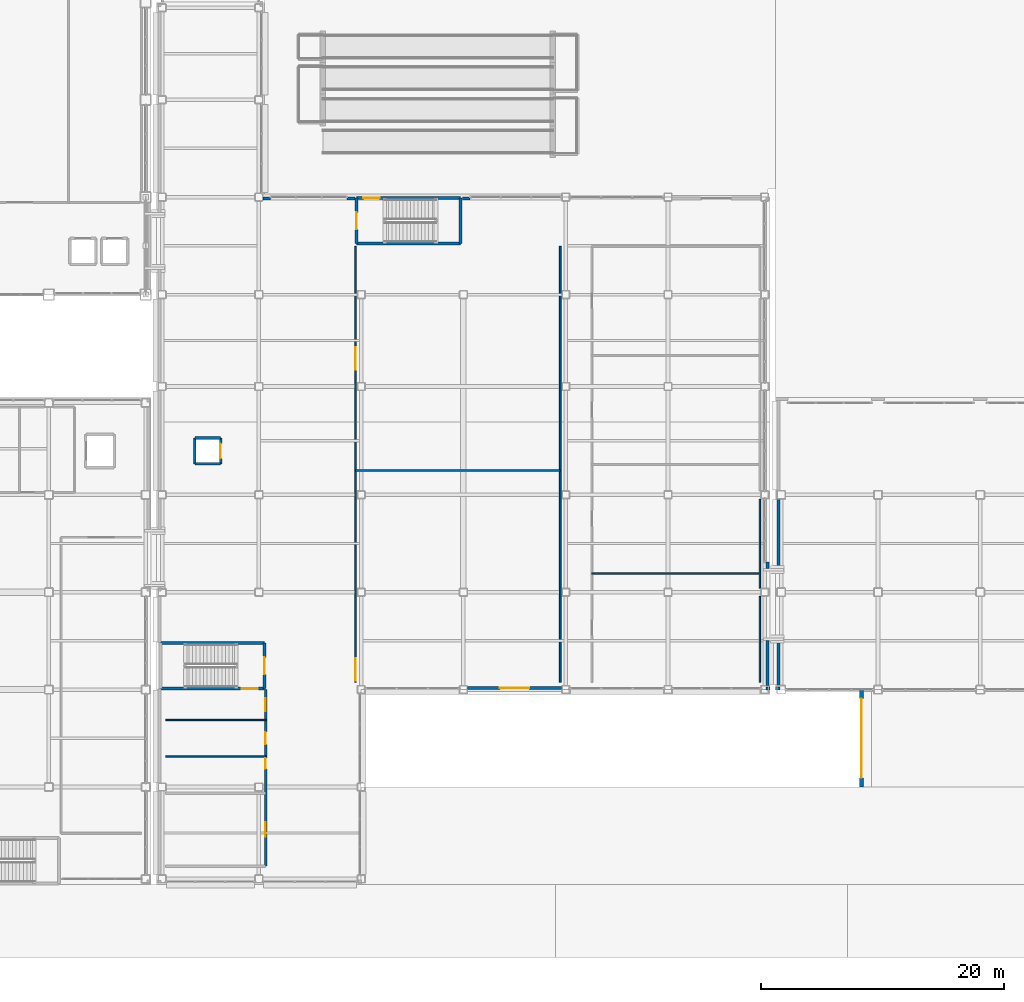
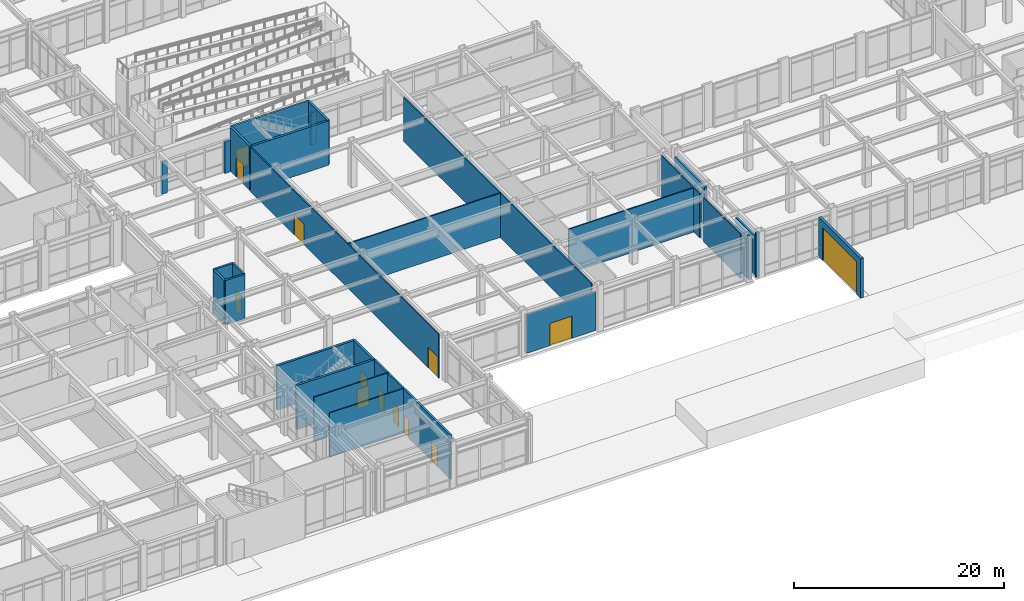
# One storey, part 128 of 165: 31 walls, 13 doors, 13 openings.
"""IFC4 building model written with IfcOpenShell, lengths in metres."""

from ifc_helpers import new_model, si_unit, direction, frame, frame_2d, origin, place, context, subcontext, project, spatial, rectangle, extrude, material, layer, layer_set, type_object, element, fill, save


model = new_model("IFC4")

# Units and contexts
model_context = context("Model", 3, precision=1e-05, world=origin(), true_north=direction((0.0, 1.0)))
body_context = subcontext(model_context, "Body", "Model", "MODEL_VIEW")
ifc_project = project(units=[si_unit("LENGTHUNIT", "METRE"), si_unit("AREAUNIT", "SQUARE_METRE"), si_unit("VOLUMEUNIT", "CUBIC_METRE"), si_unit("PLANEANGLEUNIT", "RADIAN"), si_unit("MASSUNIT", "GRAM", prefix="KILO")], contexts=[model_context])

# Site, building, storey
site_placement = place(None, origin())
site = spatial("IfcSite", under=ifc_project, at=site_placement, CompositionType="ELEMENT")
building_placement = place(site_placement, origin())
building = spatial("IfcBuilding", under=site, at=building_placement, Name="Kazehara Bluff Congress Hotel", CompositionType="ELEMENT")
storey_placement = place(building_placement, origin())
storey = spatial("IfcBuildingStorey", under=building, at=storey_placement, Name="L00", CompositionType="ELEMENT", Elevation=0.0)

# Wall, opening, door
ifc_material_1 = material(Name="Concrete C40/50", Category="concrete")
ifc_layer_1 = layer(ifc_material_1, 0.25)
ifc_layer_set_1 = layer_set([ifc_layer_1], Name="Concrete C40/50")
wall_type_1 = type_object("IfcWallType", Name="TP-CW-RC", PredefinedType="SHEAR", material=ifc_layer_set_1)
wall_1_placement = place(storey_placement, frame((68.125, 19.824951171875, 0.0), z_axis=(0.0, 0.0, 1.0), x_axis=(0.0, -1.0, 0.0)))
wall_1 = element("IfcWall", 1, at=wall_1_placement, inside=storey, type_object=wall_type_1, Name="L00 ST-08 core wall near", PredefinedType="SHEAR", context=body_context, shape_type="SweptSolid", body=[
    extrude(rectangle(XDim=3.75, YDim=0.25, at=frame_2d((1.875, 0.0))), origin(), (0.0, 0.0, 1.0), 5.14990234375),
])
opening_1_placement = place(wall_1_placement, frame((1.175048828125, 0.0, 0.0)))
opening_1 = element("IfcOpeningElement", 2, at=opening_1_placement, cuts=wall_1, Name="Opening FD-03", PredefinedType="OPENING", context=body_context, shape_type="SweptSolid", body=[
    extrude(rectangle(XDim=1.39990234375, YDim=2.25, at=frame_2d((0.699951171875, 1.125))), frame((0.0, 0.135009765625, 0.0), z_axis=(0.0, -1.0, 0.0), x_axis=(1.0, 0.0, 0.0)), (0.0, 0.0, 1.0), 0.27001953125),
])
ifc_material_2 = material(Name="Fire-rated painted steel leaf", Category="steel")
door_type_1 = type_object("IfcDoorType", Name="TP-FD-03", OperationType="NOTDEFINED", PredefinedType="DOOR", material=ifc_material_2)
door_1_placement = place(opening_1_placement, origin())
door_1 = element("IfcDoor", 3, at=door_1_placement, inside=storey, type_object=door_type_1, Name="L00 ST-08 fire stair door", OperationType="SINGLE_SWING_RIGHT", OverallHeight=2.25, OverallWidth=1.39990234375, PredefinedType="DOOR", context=body_context, shape_type="SweptSolid", body=[
    extrude(rectangle(XDim=1.39990234375, YDim=2.25, at=frame_2d((0.699951171875, 1.125))), frame((0.0, 0.02490234375, 0.0), z_axis=(0.0, -1.0, 0.0), x_axis=(1.0, 0.0, 0.0)), (0.0, 0.0, 1.0), 0.050048828125),
])
fill(opening_1, door_1)

# Wall
wall_2_placement = place(storey_placement, frame((59.574951171875, 19.824951171875, 0.0), z_axis=(0.0, 0.0, 1.0), x_axis=(1.0, 0.0, 0.0)))
element("IfcWall", 4, at=wall_2_placement, inside=storey, type_object=wall_type_1, Name="L00 ST-08 core wall left", PredefinedType="SHEAR", context=body_context, shape_type="SweptSolid", body=[
    extrude(rectangle(XDim=8.550048828125, YDim=0.25, at=frame_2d((4.27490234375, 0.0))), origin(), (0.0, 0.0, 1.0), 5.14990234375),
])

# Wall, opening, door
wall_3_placement = place(storey_placement, frame((68.125, 16.074951171875, 0.0), z_axis=(0.0, 0.0, 1.0), x_axis=(-1.0, 0.0, 0.0)))
wall_3 = element("IfcWall", 5, at=wall_3_placement, inside=storey, type_object=wall_type_1, Name="L00 ST-08 core wall right", PredefinedType="SHEAR", context=body_context, shape_type="SweptSolid", body=[
    extrude(rectangle(XDim=8.550048828125, YDim=0.25, at=frame_2d((4.27490234375, 0.0))), origin(), (0.0, 0.0, 1.0), 5.14990234375),
])
opening_2_placement = place(wall_3_placement, frame((0.550048828125, 0.0, 0.0)))
opening_2 = element("IfcOpeningElement", 6, at=opening_2_placement, cuts=wall_3, Name="Opening ED-09", PredefinedType="OPENING", context=body_context, shape_type="SweptSolid", body=[
    extrude(rectangle(XDim=1.35009765625, YDim=2.300048828125, at=frame_2d((0.675048828125, 1.14990234375))), frame((0.0, 0.135009765625, 0.0), z_axis=(0.0, -1.0, 0.0), x_axis=(1.0, 0.0, 0.0)), (0.0, 0.0, 1.0), 0.27001953125),
])
ifc_material_3 = material(Name="Anodised aluminium", Category="aluminium")
door_type_2 = type_object("IfcDoorType", Name="TP-ED-09", OperationType="NOTDEFINED", PredefinedType="DOOR", material=ifc_material_3)
door_2_placement = place(opening_2_placement, origin())
door_2 = element("IfcDoor", 7, at=door_2_placement, inside=storey, type_object=door_type_2, Name="Escape Stair ST-08 final exit discharge door", OperationType="SINGLE_SWING_RIGHT", OverallHeight=2.300048828125, OverallWidth=1.35009765625, PredefinedType="DOOR", context=body_context, shape_type="SweptSolid", body=[
    extrude(rectangle(XDim=1.35009765625, YDim=2.300048828125, at=frame_2d((0.675048828125, 1.14990234375))), frame((0.0, 0.02490234375, 0.0), z_axis=(0.0, -1.0, 0.0), x_axis=(1.0, 0.0, 0.0)), (0.0, 0.0, 1.0), 0.050048828125),
])
fill(opening_2, door_2)

wall_4_placement = place(storey_placement, frame((75.675048828125, 52.625, 0.0), z_axis=(0.0, 0.0, 1.0), x_axis=(0.0, 1.0, 0.0)))
wall_4 = element("IfcWall", 8, at=wall_4_placement, inside=storey, type_object=wall_type_1, Name="L00 ST-09 core wall near", PredefinedType="SHEAR", context=body_context, shape_type="SweptSolid", body=[
    extrude(rectangle(XDim=3.75, YDim=0.25, at=frame_2d((1.875, 0.0))), origin(), (0.0, 0.0, 1.0), 5.14990234375),
])
opening_3_placement = place(wall_4_placement, frame((1.175048828125, 0.0, 0.0)))
opening_3 = element("IfcOpeningElement", 9, at=opening_3_placement, cuts=wall_4, Name="Opening FD-03", PredefinedType="OPENING", context=body_context, shape_type="SweptSolid", body=[
    extrude(rectangle(XDim=1.39990234375, YDim=2.25, at=frame_2d((0.699951171875, 1.125))), frame((0.0, 0.135009765625, 0.0), z_axis=(0.0, -1.0, 0.0), x_axis=(1.0, 0.0, 0.0)), (0.0, 0.0, 1.0), 0.27001953125),
])
door_3_placement = place(opening_3_placement, origin())
door_3 = element("IfcDoor", 10, at=door_3_placement, inside=storey, type_object=door_type_1, Name="L00 ST-09 fire stair door", OperationType="SINGLE_SWING_RIGHT", OverallHeight=2.25, OverallWidth=1.39990234375, PredefinedType="DOOR", context=body_context, shape_type="SweptSolid", body=[
    extrude(rectangle(XDim=1.39990234375, YDim=2.25, at=frame_2d((0.699951171875, 1.125))), frame((0.0, 0.02490234375, 0.0), z_axis=(0.0, -1.0, 0.0), x_axis=(1.0, 0.0, 0.0)), (0.0, 0.0, 1.0), 0.050048828125),
])
fill(opening_3, door_3)

# Walls
wall_5_placement = place(storey_placement, frame((84.22509765625, 56.375, 0.0), z_axis=(0.0, 0.0, 1.0), x_axis=(0.0, -1.0, 0.0)))
element("IfcWall", 11, at=wall_5_placement, inside=storey, type_object=wall_type_1, Name="L00 ST-09 core wall far", PredefinedType="SHEAR", context=body_context, shape_type="SweptSolid", body=[
    extrude(rectangle(XDim=3.75, YDim=0.25, at=frame_2d((1.875, 0.0))), origin(), (0.0, 0.0, 1.0), 5.14990234375),
])
wall_6_placement = place(storey_placement, frame((84.22509765625, 52.625, 0.0), z_axis=(0.0, 0.0, 1.0), x_axis=(-1.0, 0.0, 0.0)))
element("IfcWall", 12, at=wall_6_placement, inside=storey, type_object=wall_type_1, Name="L00 ST-09 core wall left", PredefinedType="SHEAR", context=body_context, shape_type="SweptSolid", body=[
    extrude(rectangle(XDim=8.550048828125, YDim=0.25, at=frame_2d((4.27490234375, 0.0))), origin(), (0.0, 0.0, 1.0), 5.14990234375),
])

# Wall, opening, door
wall_7_placement = place(storey_placement, frame((75.675048828125, 56.375, 0.0), z_axis=(0.0, 0.0, 1.0), x_axis=(1.0, 0.0, 0.0)))
wall_7 = element("IfcWall", 13, at=wall_7_placement, inside=storey, type_object=wall_type_1, Name="L00 ST-09 core wall right", PredefinedType="SHEAR", context=body_context, shape_type="SweptSolid", body=[
    extrude(rectangle(XDim=8.550048828125, YDim=0.25, at=frame_2d((4.27490234375, 0.0))), origin(), (0.0, 0.0, 1.0), 5.14990234375),
])
opening_4_placement = place(wall_7_placement, frame((0.550048828125, 0.0, 0.0)))
opening_4 = element("IfcOpeningElement", 14, at=opening_4_placement, cuts=wall_7, Name="Opening ED-09", PredefinedType="OPENING", context=body_context, shape_type="SweptSolid", body=[
    extrude(rectangle(XDim=1.35009765625, YDim=2.300048828125, at=frame_2d((0.675048828125, 1.14990234375))), frame((0.0, 0.135009765625, 0.0), z_axis=(0.0, -1.0, 0.0), x_axis=(1.0, 0.0, 0.0)), (0.0, 0.0, 1.0), 0.27001953125),
])
door_4_placement = place(opening_4_placement, origin())
door_4 = element("IfcDoor", 15, at=door_4_placement, inside=storey, type_object=door_type_2, Name="Escape Stair ST-09 final exit discharge door", OperationType="SINGLE_SWING_RIGHT", OverallHeight=2.300048828125, OverallWidth=1.35009765625, PredefinedType="DOOR", context=body_context, shape_type="SweptSolid", body=[
    extrude(rectangle(XDim=1.35009765625, YDim=2.300048828125, at=frame_2d((0.675048828125, 1.14990234375))), frame((0.0, 0.02490234375, 0.0), z_axis=(0.0, -1.0, 0.0), x_axis=(1.0, 0.0, 0.0)), (0.0, 0.0, 1.0), 0.050048828125),
])
fill(opening_4, door_4)

# Walls
ifc_material_4 = material(Name="Precast concrete C40/50", Category="concrete")
ifc_layer_2 = layer(ifc_material_4, 0.239990234375)
ifc_layer_set_2 = layer_set([ifc_layer_2], Name="Precast concrete C40/50")
wall_type_2 = type_object("IfcWallType", Name="TP-EW-240", PredefinedType="SOLIDWALL", material=ifc_layer_set_2)
wall_8_placement = place(storey_placement, frame((109.64990234375, 16.10009765625, 0.0), z_axis=(0.0, 0.0, 1.0), x_axis=(-1.0, 0.0, 0.0)))
element("IfcWall", 16, at=wall_8_placement, inside=storey, type_object=wall_type_2, Name="L00 V4 perimeter spandrel pier 527", PredefinedType="SOLIDWALL", context=body_context, shape_type="SweptSolid", body=[
    extrude(rectangle(XDim=0.35986328125, YDim=0.239990234375, at=frame_2d((0.179931640625, 0.0))), origin(), (0.0, 0.0, 1.0), 5.135009765625),
])
wall_9_placement = place(storey_placement, frame((109.429931640625, 20.050048828125, 0.0), z_axis=(0.0, 0.0, 1.0), x_axis=(0.0, -1.0, 0.0)))
element("IfcWall", 17, at=wall_9_placement, inside=storey, type_object=wall_type_2, Name="L00 V4 perimeter spandrel pier 528", PredefinedType="SOLIDWALL", context=body_context, shape_type="SweptSolid", body=[
    extrude(rectangle(XDim=3.72509765625, YDim=0.239990234375, at=frame_2d((1.862548828125, 0.0))), origin(), (0.0, 0.0, 1.0), 4.47509765625),
])
wall_10_placement = place(storey_placement, frame((109.429931640625, 26.5, 0.0), z_axis=(0.0, 0.0, 1.0), x_axis=(0.0, -1.0, 0.0)))
element("IfcWall", 18, at=wall_10_placement, inside=storey, type_object=wall_type_2, Name="L00 V4 perimeter spandrel pier 529", PredefinedType="SOLIDWALL", context=body_context, shape_type="SweptSolid", body=[
    extrude(rectangle(XDim=0.550048828125, YDim=0.239990234375, at=frame_2d((0.27490234375, 0.0))), origin(), (0.0, 0.0, 1.0), 4.47509765625),
])
wall_11_placement = place(storey_placement, frame((67.97509765625, 56.35009765625, 0.0), z_axis=(0.0, 0.0, 1.0), x_axis=(1.0, 0.0, 0.0)))
element("IfcWall", 19, at=wall_11_placement, inside=storey, type_object=wall_type_2, Name="L00 V4 perimeter spandrel pier 530", PredefinedType="SOLIDWALL", context=body_context, shape_type="SweptSolid", body=[
    extrude(rectangle(XDim=0.625, YDim=0.239990234375, at=frame_2d((0.3125, 0.0))), origin(), (0.0, 0.0, 1.0), 3.72509765625),
])
wall_12_placement = place(storey_placement, frame((74.89990234375, 56.35009765625, 0.0), z_axis=(0.0, 0.0, 1.0), x_axis=(1.0, 0.0, 0.0)))
element("IfcWall", 20, at=wall_12_placement, inside=storey, type_object=wall_type_2, Name="L00 V4 perimeter spandrel pier 531", PredefinedType="SOLIDWALL", context=body_context, shape_type="SweptSolid", body=[
    extrude(rectangle(XDim=0.64013671875, YDim=0.239990234375, at=frame_2d((0.320068359375, 0.0))), origin(), (0.0, 0.0, 1.0), 3.72509765625),
])
wall_13_placement = place(storey_placement, frame((84.360107421875, 56.35009765625, 0.0), z_axis=(0.0, 0.0, 1.0), x_axis=(1.0, 0.0, 0.0)))
element("IfcWall", 21, at=wall_13_placement, inside=storey, type_object=wall_type_2, Name="L00 V4 perimeter spandrel pier 532", PredefinedType="SOLIDWALL", context=body_context, shape_type="SweptSolid", body=[
    extrude(rectangle(XDim=0.639892578125, YDim=0.239990234375, at=frame_2d((0.31982421875, 0.0))), origin(), (0.0, 0.0, 1.0), 3.72509765625),
])
wall_14_placement = place(storey_placement, frame((110.320068359375, 25.949951171875, 0.0), z_axis=(0.0, 0.0, 1.0), x_axis=(0.0, 1.0, 0.0)))
element("IfcWall", 22, at=wall_14_placement, inside=storey, type_object=wall_type_2, Name="L00 V5 perimeter spandrel pier 555", PredefinedType="SOLIDWALL", context=body_context, shape_type="SweptSolid", body=[
    extrude(rectangle(XDim=5.699951171875, YDim=0.239990234375, at=frame_2d((2.85009765625, 0.0))), origin(), (0.0, 0.0, 1.0), 4.47509765625),
])
wall_15_placement = place(storey_placement, frame((110.320068359375, 16.35009765625, 0.0), z_axis=(0.0, 0.0, 1.0), x_axis=(0.0, 1.0, 0.0)))
element("IfcWall", 23, at=wall_15_placement, inside=storey, type_object=wall_type_2, Name="L00 V5 perimeter spandrel pier 557", PredefinedType="SOLIDWALL", context=body_context, shape_type="SweptSolid", body=[
    extrude(rectangle(XDim=3.699951171875, YDim=0.239990234375, at=frame_2d((1.85009765625, 0.0))), origin(), (0.0, 0.0, 1.0), 4.47509765625),
])
wall_16_placement = place(storey_placement, frame((110.4599609375, 16.10009765625, 0.0), z_axis=(0.0, 0.0, 1.0), x_axis=(-1.0, 0.0, 0.0)))
element("IfcWall", 24, at=wall_16_placement, inside=storey, type_object=wall_type_2, Name="L00 V5 perimeter spandrel pier 558", PredefinedType="SOLIDWALL", context=body_context, shape_type="SweptSolid", body=[
    extrude(rectangle(XDim=0.35986328125, YDim=0.239990234375, at=frame_2d((0.179931640625, 0.0))), origin(), (0.0, 0.0, 1.0), 5.135009765625),
])

# Wall, opening, door
ifc_material_5 = material(Name="Precast concrete C40/50", Category="concrete")
ifc_layer_3 = layer(ifc_material_5, 0.260009765625)
ifc_layer_set_3 = layer_set([ifc_layer_3], Name="Precast concrete C40/50")
wall_type_3 = type_object("IfcWallType", Name="TP-EW-260", PredefinedType="SOLIDWALL", material=ifc_layer_set_3)
wall_17_placement = place(storey_placement, frame((92.52490234375, 16.1201171875, 0.0), z_axis=(0.0, 0.0, 1.0), x_axis=(-1.0, 0.0, 0.0)))
wall_17 = element("IfcWall", 25, at=wall_17_placement, inside=storey, type_object=wall_type_3, Name="L00 exit host wall EX-V4S1", PredefinedType="SOLIDWALL", context=body_context, shape_type="SweptSolid", body=[
    extrude(rectangle(XDim=7.75, YDim=0.260009765625, at=frame_2d((3.875, 0.0))), origin(), (0.0, 0.0, 1.0), 4.47509765625),
])
opening_5_placement = place(wall_17_placement, frame((2.675048828125, 0.0, 0.0)))
opening_5 = element("IfcOpeningElement", 26, at=opening_5_placement, cuts=wall_17, Name="Opening ED-04", PredefinedType="OPENING", context=body_context, shape_type="SweptSolid", body=[
    extrude(rectangle(XDim=2.39990234375, YDim=2.60009765625, at=frame_2d((1.199951171875, 1.300048828125))), frame((0.0, 0.139892578125, 0.0), z_axis=(0.0, -1.0, 0.0), x_axis=(1.0, 0.0, 0.0)), (0.0, 0.0, 1.0), 0.280029296875),
])
ifc_material_6 = material(Name="Anodised aluminium", Category="aluminium")
door_type_3 = type_object("IfcDoorType", Name="TP-ED-04", OperationType="DOUBLE_DOOR_SINGLE_SWING", PredefinedType="DOOR", material=ifc_material_6)
door_5_placement = place(opening_5_placement, origin())
door_5 = element("IfcDoor", 27, at=door_5_placement, inside=storey, type_object=door_type_3, Name="Concourse south plaza exit door", OperationType="DOUBLE_DOOR_SINGLE_SWING", OverallHeight=2.60009765625, OverallWidth=2.39990234375, PredefinedType="DOOR", context=body_context, shape_type="SweptSolid", body=[
    extrude(rectangle(XDim=2.39990234375, YDim=2.60009765625, at=frame_2d((1.199951171875, 1.300048828125))), frame((0.0, 0.02490234375, 0.0), z_axis=(0.0, -1.0, 0.0), x_axis=(1.0, 0.0, 0.0)), (0.0, 0.0, 1.0), 0.050048828125),
])
fill(opening_5, door_5)

ifc_material_7 = material(Name="Precast concrete C40/50", Category="concrete")
ifc_layer_4 = layer(ifc_material_7, 0.31005859375)
ifc_layer_set_4 = layer_set([ifc_layer_4], Name="Precast concrete C40/50")
wall_type_4 = type_object("IfcWallType", Name="TP-EW-310", PredefinedType="SOLIDWALL", material=ifc_layer_set_4)
wall_18_placement = place(storey_placement, frame((117.14990234375, 16.0, 0.0), z_axis=(0.0, 0.0, 1.0), x_axis=(0.0, -1.0, 0.0)))
wall_18 = element("IfcWall", 28, at=wall_18_placement, inside=storey, type_object=wall_type_4, Name="Car park ramp portal wall", PredefinedType="SOLIDWALL", context=body_context, shape_type="SweptSolid", body=[
    extrude(rectangle(XDim=8.0, YDim=0.31005859375, at=frame_2d((4.0, 0.0))), origin(), (0.0, 0.0, 1.0), 4.60009765625),
])
opening_6_placement = place(wall_18_placement, frame((0.75, 0.0, 0.0)))
opening_6 = element("IfcOpeningElement", 29, at=opening_6_placement, cuts=wall_18, Name="Opening VD-01", PredefinedType="OPENING", context=body_context, shape_type="SweptSolid", body=[
    extrude(rectangle(XDim=6.5, YDim=3.800048828125, at=frame_2d((3.25, 1.89990234375))), frame((0.0, 0.1650390625, 0.0), z_axis=(0.0, -1.0, 0.0), x_axis=(1.0, 0.0, 0.0)), (0.0, 0.0, 1.0), 0.330078125),
])
ifc_material_8 = material(Name="Anodised aluminium", Category="aluminium")
door_type_4 = type_object("IfcDoorType", Name="TP-VD-01", OperationType="ROLLINGUP", PredefinedType="DOOR", material=ifc_material_8)
door_6_placement = place(opening_6_placement, origin())
door_6 = element("IfcDoor", 30, at=door_6_placement, inside=storey, type_object=door_type_4, Name="Car park vehicle roller shutter VD-01", OperationType="ROLLINGUP", OverallHeight=3.800048828125, OverallWidth=6.5, PredefinedType="DOOR", context=body_context, shape_type="SweptSolid", body=[
    extrude(rectangle(XDim=6.5, YDim=3.800048828125, at=frame_2d((3.25, 1.89990234375))), frame((0.0, 0.02490234375, 0.0), z_axis=(0.0, -1.0, 0.0), x_axis=(1.0, 0.0, 0.0)), (0.0, 0.0, 1.0), 0.050048828125),
])
fill(opening_6, door_6)

# Wall, openings, doors
ifc_material_9 = material(Name="Concrete C40/50", Category="concrete")
ifc_layer_5 = layer(ifc_material_9, 0.199951171875)
ifc_layer_set_5 = layer_set([ifc_layer_5], Name="Concrete C40/50")
wall_type_5 = type_object("IfcWallType", Name="TP-FW-RC", PredefinedType="SOLIDWALL", material=ifc_layer_set_5)
wall_19_placement = place(storey_placement, frame((68.199951171875, 1.5, 0.0), z_axis=(0.0, 0.0, 1.0), x_axis=(0.0, 1.0, 0.0)))
wall_19 = element("IfcWall", 31, at=wall_19_placement, inside=storey, type_object=wall_type_5, Name="L00 partition FW-RC 113", PredefinedType="SOLIDWALL", context=body_context, shape_type="SweptSolid", body=[
    extrude(rectangle(XDim=14.5, YDim=0.199951171875, at=frame_2d((7.25, 0.0))), origin(), (0.0, 0.0, 1.0), 5.135009765625),
])
opening_7_placement = place(wall_19_placement, frame((2.39990234375, 0.0, 0.0)))
opening_7 = element("IfcOpeningElement", 32, at=opening_7_placement, cuts=wall_19, Name="Opening FD-02", PredefinedType="OPENING", context=body_context, shape_type="SweptSolid", body=[
    extrude(rectangle(XDim=1.199951171875, YDim=2.199951171875, at=frame_2d((0.60009765625, 1.10009765625))), frame((0.0, 0.10986328125, 0.0), z_axis=(0.0, -1.0, 0.0), x_axis=(1.0, 0.0, 0.0)), (0.0, 0.0, 1.0), 0.219970703125),
])
opening_8_placement = place(wall_19_placement, frame((7.97998046875, 0.0, 0.0)))
opening_8 = element("IfcOpeningElement", 33, at=opening_8_placement, cuts=wall_19, Name="Opening ID-01", PredefinedType="OPENING", context=body_context, shape_type="SweptSolid", body=[
    extrude(rectangle(XDim=0.89990234375, YDim=2.14990234375, at=frame_2d((0.449951171875, 1.074951171875))), frame((0.0, 0.10986328125, 0.0), z_axis=(0.0, -1.0, 0.0), x_axis=(1.0, 0.0, 0.0)), (0.0, 0.0, 1.0), 0.219970703125),
])
opening_9_placement = place(wall_19_placement, frame((10.0, 0.0, 0.0)))
opening_9 = element("IfcOpeningElement", 34, at=opening_9_placement, cuts=wall_19, Name="Opening ID-03", PredefinedType="OPENING", context=body_context, shape_type="SweptSolid", body=[
    extrude(rectangle(XDim=1.0, YDim=2.179931640625, at=frame_2d((0.5, 1.08984375))), frame((0.0, 0.10986328125, 0.0), z_axis=(0.0, -1.0, 0.0), x_axis=(1.0, 0.0, 0.0)), (0.0, 0.0, 1.0), 0.219970703125),
])
opening_10_placement = place(wall_19_placement, frame((12.72509765625, 0.0, 0.0)))
opening_10 = element("IfcOpeningElement", 35, at=opening_10_placement, cuts=wall_19, Name="Opening ID-02", PredefinedType="OPENING", context=body_context, shape_type="SweptSolid", body=[
    extrude(rectangle(XDim=1.050048828125, YDim=2.199951171875, at=frame_2d((0.52490234375, 1.10009765625))), frame((0.0, 0.10986328125, 0.0), z_axis=(0.0, -1.0, 0.0), x_axis=(1.0, 0.0, 0.0)), (0.0, 0.0, 1.0), 0.219970703125),
])
ifc_material_10 = material(Name="Fire-rated painted steel leaf", Category="steel")
door_type_5 = type_object("IfcDoorType", Name="TP-FD-02", OperationType="NOTDEFINED", PredefinedType="DOOR", material=ifc_material_10)
door_7_placement = place(opening_7_placement, origin())
door_7 = element("IfcDoor", 36, at=door_7_placement, inside=storey, type_object=door_type_5, Name="L00 Fire Command Centre door", OperationType="SINGLE_SWING_LEFT", OverallHeight=2.199951171875, OverallWidth=1.199951171875, PredefinedType="DOOR", context=body_context, shape_type="SweptSolid", body=[
    extrude(rectangle(XDim=1.199951171875, YDim=2.199951171875, at=frame_2d((0.60009765625, 1.10009765625))), frame((0.0, 0.02490234375, 0.0), z_axis=(0.0, -1.0, 0.0), x_axis=(1.0, 0.0, 0.0)), (0.0, 0.0, 1.0), 0.050048828125),
])
fill(opening_7, door_7)
ifc_material_11 = material(Name="Architectural oak veneer leaf")
door_type_6 = type_object("IfcDoorType", Name="TP-ID-01", OperationType="NOTDEFINED", PredefinedType="DOOR", material=ifc_material_11)
door_8_placement = place(opening_8_placement, origin())
door_8 = element("IfcDoor", 37, at=door_8_placement, inside=storey, type_object=door_type_6, Name="L00 Concourse Male WC door", OperationType="SINGLE_SWING_RIGHT", OverallHeight=2.14990234375, OverallWidth=0.89990234375, PredefinedType="DOOR", context=body_context, shape_type="SweptSolid", body=[
    extrude(rectangle(XDim=0.89990234375, YDim=2.14990234375, at=frame_2d((0.449951171875, 1.074951171875))), frame((0.0, 0.02490234375, 0.0), z_axis=(0.0, -1.0, 0.0), x_axis=(1.0, 0.0, 0.0)), (0.0, 0.0, 1.0), 0.050048828125),
])
fill(opening_8, door_8)
ifc_material_12 = material(Name="Architectural oak veneer leaf")
door_type_7 = type_object("IfcDoorType", Name="TP-ID-02", OperationType="NOTDEFINED", PredefinedType="DOOR", material=ifc_material_12)
door_9_placement = place(opening_10_placement, origin())
door_9 = element("IfcDoor", 38, at=door_9_placement, inside=storey, type_object=door_type_7, Name="L00 Concourse Accessible WC door", OperationType="SINGLE_SWING_RIGHT", OverallHeight=2.199951171875, OverallWidth=1.050048828125, PredefinedType="DOOR", context=body_context, shape_type="SweptSolid", body=[
    extrude(rectangle(XDim=1.050048828125, YDim=2.199951171875, at=frame_2d((0.52490234375, 1.10009765625))), frame((0.0, 0.02490234375, 0.0), z_axis=(0.0, -1.0, 0.0), x_axis=(1.0, 0.0, 0.0)), (0.0, 0.0, 1.0), 0.050048828125),
])
fill(opening_10, door_9)
ifc_material_13 = material(Name="Architectural oak veneer leaf")
door_type_8 = type_object("IfcDoorType", Name="TP-ID-03", OperationType="NOTDEFINED", PredefinedType="DOOR", material=ifc_material_13)
door_10_placement = place(opening_9_placement, origin())
door_10 = element("IfcDoor", 39, at=door_10_placement, inside=storey, type_object=door_type_8, Name="L00 Concourse Female WC door", OperationType="SINGLE_SWING_LEFT", OverallHeight=2.179931640625, OverallWidth=1.0, PredefinedType="DOOR", context=body_context, shape_type="SweptSolid", body=[
    extrude(rectangle(XDim=1.0, YDim=2.179931640625, at=frame_2d((0.5, 1.08984375))), frame((0.0, 0.02490234375, 0.0), z_axis=(0.0, -1.0, 0.0), x_axis=(1.0, 0.0, 0.0)), (0.0, 0.0, 1.0), 0.050048828125),
])
fill(opening_9, door_10)

# Walls
ifc_material_14 = material(Name="Fire-rated gypsum board stud partition")
ifc_layer_6 = layer(ifc_material_14, 0.110107421875)
ifc_layer_set_6 = layer_set([ifc_layer_6], Name="Fire-rated gypsum board stud partition")
wall_type_6 = type_object("IfcWallType", Name="TP-PT-110", PredefinedType="PARTITIONING", material=ifc_layer_set_6)
for number, where, z_axis, x_axis, name in (
    (40, (60.0, 10.5, 0.0), (0.0, 0.0, 1.0), (1.0, 0.0, 0.0), "L00 partition PT-110 61"),
    (41, (60.0, 13.5, 0.0), (0.0, 0.0, 1.0), (1.0, 0.0, 0.0), "L00 partition PT-110 62"),
):
    element("IfcWall", number, at=place(storey_placement, frame(where, z_axis=z_axis, x_axis=x_axis)), inside=storey, type_object=wall_type_6, Name=name, PredefinedType="PARTITIONING", context=body_context, shape_type="SweptSolid", body=[
        extrude(rectangle(XDim=8.199951171875, YDim=0.110107421875, at=frame_2d((4.10009765625, 0.0))), origin(), (0.0, 0.0, 1.0), 5.135009765625),
    ])
ifc_material_15 = material(Name="Fire-rated gypsum board stud partition")
ifc_layer_7 = layer(ifc_material_15, 0.1298828125)
ifc_layer_set_7 = layer_set([ifc_layer_7], Name="Fire-rated gypsum board stud partition")
wall_type_7 = type_object("IfcWallType", Name="TP-PT-130", PredefinedType="PARTITIONING", material=ifc_layer_set_7)
wall_20_placement = place(storey_placement, frame((95.0, 25.550048828125, 0.0), z_axis=(0.0, 0.0, 1.0), x_axis=(1.0, 0.0, 0.0)))
element("IfcWall", 42, at=wall_20_placement, inside=storey, type_object=wall_type_7, Name="L00 partition PT-130 63", PredefinedType="PARTITIONING", context=body_context, shape_type="SweptSolid", body=[
    extrude(rectangle(XDim=13.800048828125, YDim=0.1298828125, at=frame_2d((6.89990234375, 0.0))), origin(), (0.0, 0.0, 1.0), 5.135009765625),
])
wall_21_placement = place(storey_placement, frame((75.60009765625, 34.0, 0.0), z_axis=(0.0, 0.0, 1.0), x_axis=(1.0, 0.0, 0.0)))
element("IfcWall", 43, at=wall_21_placement, inside=storey, type_object=wall_type_7, Name="L00 partition PT-130 71", PredefinedType="PARTITIONING", context=body_context, shape_type="SweptSolid", body=[
    extrude(rectangle(XDim=16.7998046875, YDim=0.1298828125, at=frame_2d((8.39990234375, 0.0))), origin(), (0.0, 0.0, 1.0), 5.135009765625),
])

# Wall, openings, doors
wall_22_placement = place(storey_placement, frame((75.60009765625, 16.60009765625, 0.0), z_axis=(0.0, 0.0, 1.0), x_axis=(0.0, 1.0, 0.0)))
wall_22 = element("IfcWall", 44, at=wall_22_placement, inside=storey, type_object=wall_type_7, Name="L00 partition PT-130 114", PredefinedType="PARTITIONING", context=body_context, shape_type="SweptSolid", body=[
    extrude(rectangle(XDim=35.7998046875, YDim=0.1298828125, at=frame_2d((17.89990234375, 0.0))), origin(), (0.0, 0.0, 1.0), 5.135009765625),
])
opening_11_placement = place(wall_22_placement, frame((0.1201171875, 0.0, 0.0)))
opening_11 = element("IfcOpeningElement", 45, at=opening_11_placement, cuts=wall_22, Name="Opening AD-02", PredefinedType="OPENING", context=body_context, shape_type="SweptSolid", body=[
    extrude(rectangle(XDim=1.85009765625, YDim=2.39990234375, at=frame_2d((0.925048828125, 1.199951171875))), frame((0.0, 0.074951171875, 0.0), z_axis=(0.0, -1.0, 0.0), x_axis=(1.0, 0.0, 0.0)), (0.0, 0.0, 1.0), 0.14990234375),
])
opening_12_placement = place(wall_22_placement, frame((25.675048828125, 0.0, 0.0)))
opening_12 = element("IfcOpeningElement", 46, at=opening_12_placement, cuts=wall_22, Name="Opening AD-02", PredefinedType="OPENING", context=body_context, shape_type="SweptSolid", body=[
    extrude(rectangle(XDim=1.85009765625, YDim=2.39990234375, at=frame_2d((0.925048828125, 1.199951171875))), frame((0.0, 0.074951171875, 0.0), z_axis=(0.0, -1.0, 0.0), x_axis=(1.0, 0.0, 0.0)), (0.0, 0.0, 1.0), 0.14990234375),
])
ifc_material_16 = material(Name="Architectural oak veneer leaf")
door_type_9 = type_object("IfcDoorType", Name="TP-AD-02", OperationType="DOUBLE_DOOR_SINGLE_SWING", PredefinedType="DOOR", material=ifc_material_16)
door_11_placement = place(opening_11_placement, origin())
door_11 = element("IfcDoor", 47, at=door_11_placement, inside=storey, type_object=door_type_9, Name="L00 Plenary Delegate Lounge door", OperationType="DOUBLE_DOOR_SINGLE_SWING", OverallHeight=2.39990234375, OverallWidth=1.85009765625, PredefinedType="DOOR", context=body_context, shape_type="SweptSolid", body=[
    extrude(rectangle(XDim=1.85009765625, YDim=2.39990234375, at=frame_2d((0.925048828125, 1.199951171875))), frame((0.0, 0.02490234375, 0.0), z_axis=(0.0, -1.0, 0.0), x_axis=(1.0, 0.0, 0.0)), (0.0, 0.0, 1.0), 0.050048828125),
])
fill(opening_11, door_11)
door_12_placement = place(opening_12_placement, origin())
door_12 = element("IfcDoor", 48, at=door_12_placement, inside=storey, type_object=door_type_9, Name="L00 Poster Exhibition Salon door", OperationType="DOUBLE_DOOR_SINGLE_SWING", OverallHeight=2.39990234375, OverallWidth=1.85009765625, PredefinedType="DOOR", context=body_context, shape_type="SweptSolid", body=[
    extrude(rectangle(XDim=1.85009765625, YDim=2.39990234375, at=frame_2d((0.925048828125, 1.199951171875))), frame((0.0, 0.02490234375, 0.0), z_axis=(0.0, -1.0, 0.0), x_axis=(1.0, 0.0, 0.0)), (0.0, 0.0, 1.0), 0.050048828125),
])
fill(opening_12, door_12)

# Walls
wall_23_placement = place(storey_placement, frame((92.39990234375, 16.60009765625, 0.0), z_axis=(0.0, 0.0, 1.0), x_axis=(0.0, 1.0, 0.0)))
element("IfcWall", 49, at=wall_23_placement, inside=storey, type_object=wall_type_7, Name="L00 partition PT-130 116", PredefinedType="PARTITIONING", context=body_context, shape_type="SweptSolid", body=[
    extrude(rectangle(XDim=35.7998046875, YDim=0.1298828125, at=frame_2d((17.89990234375, 0.0))), origin(), (0.0, 0.0, 1.0), 5.135009765625),
])
wall_24_placement = place(storey_placement, frame((108.800048828125, 16.60009765625, 0.0), z_axis=(0.0, 0.0, 1.0), x_axis=(0.0, 1.0, 0.0)))
element("IfcWall", 50, at=wall_24_placement, inside=storey, type_object=wall_type_7, Name="L00 partition PT-130 120", PredefinedType="PARTITIONING", context=body_context, shape_type="SweptSolid", body=[
    extrude(rectangle(XDim=7.054931640625, YDim=0.1298828125, at=frame_2d((3.52734375, 0.0))), origin(), (0.0, 0.0, 1.0), 5.135009765625),
])
wall_25_placement = place(storey_placement, frame((108.800048828125, 24.344970703125, 0.0), z_axis=(0.0, 0.0, 1.0), x_axis=(0.0, 1.0, 0.0)))
element("IfcWall", 51, at=wall_25_placement, inside=storey, type_object=wall_type_7, Name="L00 partition PT-130 121", PredefinedType="PARTITIONING", context=body_context, shape_type="SweptSolid", body=[
    extrude(rectangle(XDim=7.31005859375, YDim=0.1298828125, at=frame_2d((3.655029296875, 0.0))), origin(), (0.0, 0.0, 1.0), 5.135009765625),
])
ifc_material_17 = material(Name="Concrete C40/50", Category="concrete")
ifc_layer_8 = layer(ifc_material_17, 0.219970703125)
ifc_layer_set_8 = layer_set([ifc_layer_8], Name="Concrete C40/50")
wall_type_8 = type_object("IfcWallType", Name="TP-SW-RC", PredefinedType="SHEAR", material=ifc_layer_set_8)
for number, where, z_axis, x_axis, name in (
    (52, (62.389892578125, 36.659912109375, 0.0), (0.0, 0.0, 1.0), (1.0, 0.0, 0.0), "L00 EL-C3 lift shaft wall +Y"),
    (53, (62.389892578125, 34.5400390625, 0.0), (0.0, 0.0, 1.0), (1.0, 0.0, 0.0), "L00 EL-C3 lift shaft wall -Y"),
):
    element("IfcWall", number, at=place(storey_placement, frame(where, z_axis=z_axis, x_axis=x_axis)), inside=storey, type_object=wall_type_8, Name=name, PredefinedType="SHEAR", context=body_context, shape_type="SweptSolid", body=[
        extrude(rectangle(XDim=2.1201171875, YDim=0.219970703125, at=frame_2d((1.06005859375, 0.0))), origin(), (0.0, 0.0, 1.0), 5.14990234375),
    ])

# Wall, opening, door
wall_26_placement = place(storey_placement, frame((64.510009765625, 34.5400390625, 0.0), z_axis=(0.0, 0.0, 1.0), x_axis=(0.0, 1.0, 0.0)))
wall_26 = element("IfcWall", 54, at=wall_26_placement, inside=storey, type_object=wall_type_8, Name="L00 EL-C3 lift shaft wall +X", PredefinedType="SHEAR", context=body_context, shape_type="SweptSolid", body=[
    extrude(rectangle(XDim=2.119873046875, YDim=0.219970703125, at=frame_2d((1.06005859375, 0.0))), origin(), (0.0, 0.0, 1.0), 5.14990234375),
])
opening_13_placement = place(wall_26_placement, frame((0.4599609375, 0.0, 0.0)))
opening_13 = element("IfcOpeningElement", 55, at=opening_13_placement, cuts=wall_26, Name="Opening LD-02", PredefinedType="OPENING", context=body_context, shape_type="SweptSolid", body=[
    extrude(rectangle(XDim=1.199951171875, YDim=2.25, at=frame_2d((0.60009765625, 1.125))), frame((0.0, 0.119873046875, 0.0), z_axis=(0.0, -1.0, 0.0), x_axis=(1.0, 0.0, 0.0)), (0.0, 0.0, 1.0), 0.239990234375),
])
ifc_material_18 = material(Name="Fire-rated painted steel leaf", Category="steel")
door_type_10 = type_object("IfcDoorType", Name="TP-LD-02", OperationType="SLIDING_TO_LEFT", PredefinedType="DOOR", material=ifc_material_18)
door_13_placement = place(opening_13_placement, origin())
door_13 = element("IfcDoor", 56, at=door_13_placement, inside=storey, type_object=door_type_10, Name="L00 EL-C3 elevator landing door", OperationType="SLIDING_TO_LEFT", OverallHeight=2.25, OverallWidth=1.199951171875, PredefinedType="DOOR", context=body_context, shape_type="SweptSolid", body=[
    extrude(rectangle(XDim=1.199951171875, YDim=2.25, at=frame_2d((0.60009765625, 1.125))), frame((0.0, 0.02490234375, 0.0), z_axis=(0.0, -1.0, 0.0), x_axis=(1.0, 0.0, 0.0)), (0.0, 0.0, 1.0), 0.050048828125),
])
fill(opening_13, door_13)

# Wall
wall_27_placement = place(storey_placement, frame((62.389892578125, 34.5400390625, 0.0), z_axis=(0.0, 0.0, 1.0), x_axis=(0.0, 1.0, 0.0)))
element("IfcWall", 57, at=wall_27_placement, inside=storey, type_object=wall_type_8, Name="L00 EL-C3 lift shaft wall -X", PredefinedType="SHEAR", context=body_context, shape_type="SweptSolid", body=[
    extrude(rectangle(XDim=2.119873046875, YDim=0.219970703125, at=frame_2d((1.06005859375, 0.0))), origin(), (0.0, 0.0, 1.0), 5.14990234375),
])

save(model, "model.ifc")
